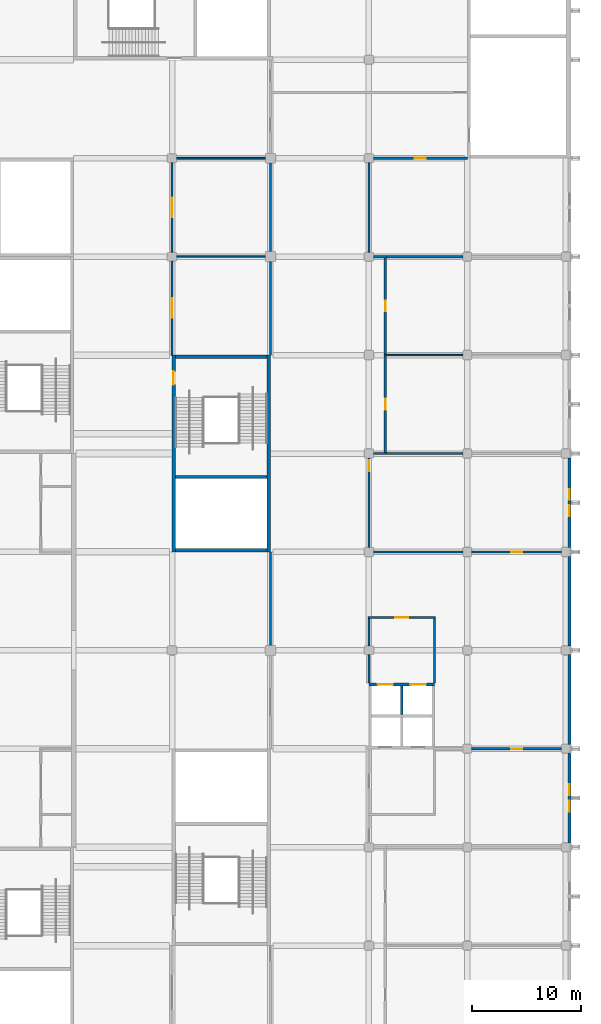
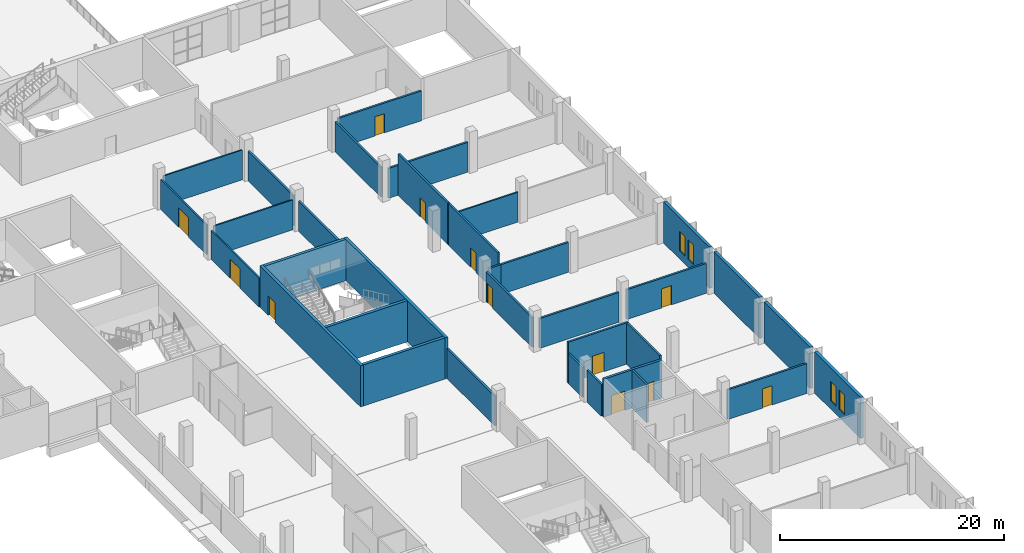
# One storey, part 104 of 168: 35 walls, 12 doors, 4 windows, 16 openings.
"""IFC4 building model written with IfcOpenShell, lengths in metres."""

from ifc_helpers import new_model, si_unit, direction, frame, frame_2d, origin, place, context, subcontext, project, spatial, rectangle, extrude, material, layer, layer_set, type_object, element, fill, save


model = new_model("IFC4")

# Units and contexts
model_context = context("Model", 3, precision=1e-05, world=origin(), true_north=direction((0.0, 1.0)))
body_context = subcontext(model_context, "Body", "Model", "MODEL_VIEW")
ifc_project = project(units=[si_unit("LENGTHUNIT", "METRE"), si_unit("AREAUNIT", "SQUARE_METRE"), si_unit("VOLUMEUNIT", "CUBIC_METRE"), si_unit("PLANEANGLEUNIT", "RADIAN"), si_unit("MASSUNIT", "GRAM", prefix="KILO")], contexts=[model_context])

# Site, building, storey
site_placement = place(None, origin())
site = spatial("IfcSite", under=ifc_project, at=site_placement, CompositionType="ELEMENT")
building_placement = place(site_placement, origin())
building = spatial("IfcBuilding", under=site, at=building_placement, Name="Silverbay Arena", CompositionType="ELEMENT")
storey_placement = place(building_placement, frame((0.0, 0.0, 7.0)))
storey = spatial("IfcBuildingStorey", under=building, at=storey_placement, Name="L01", CompositionType="ELEMENT", Elevation=7.0)

# Wall, openings, windows
ifc_material_1 = material(Name="Concrete Grade C45 precast, board-marked finish", Category="concrete")
ifc_layer_1 = layer(ifc_material_1, 0.300048828125)
ifc_layer_set_1 = layer_set([ifc_layer_1], Name="Concrete Grade C45 precast, board-marked finish")
wall_type_1 = type_object("IfcWallType", Name="Board-marked precast wall 300", PredefinedType="SOLIDWALL", material=ifc_layer_set_1)
wall_1_placement = place(storey_placement, frame((234.35009765625, 63.39990234375, 0.0), z_axis=(0.0, 0.0, 1.0), x_axis=(0.0, 1.0, 0.0)))
wall_1 = element("IfcWall", 1, at=wall_1_placement, inside=storey, type_object=wall_type_1, Name="East external wall L01 bay 6", PredefinedType="SOLIDWALL", context=body_context, shape_type="SweptSolid", body=[
    extrude(rectangle(XDim=8.2001953125, YDim=0.300048828125, at=frame_2d((4.10009765625, 0.0))), origin(), (0.0, 0.0, 1.0), 4.5),
])
opening_1_placement = place(wall_1_placement, frame((2.85009765625, 0.0, 0.89990234375)))
opening_1 = element("IfcOpeningElement", 2, at=opening_1_placement, cuts=wall_1, Name="Opening WN1", PredefinedType="OPENING", context=body_context, shape_type="SweptSolid", body=[
    extrude(rectangle(XDim=1.0, YDim=2.10009765625, at=frame_2d((0.5, 1.050048828125))), frame((0.0, 0.16015625, 0.0), z_axis=(0.0, -1.0, 0.0), x_axis=(1.0, 0.0, 0.0)), (0.0, 0.0, 1.0), 0.320068359375),
])
opening_2_placement = place(wall_1_placement, frame((4.35009765625, 0.0, 0.89990234375)))
opening_2 = element("IfcOpeningElement", 3, at=opening_2_placement, cuts=wall_1, Name="Opening WN1", PredefinedType="OPENING", context=body_context, shape_type="SweptSolid", body=[
    extrude(rectangle(XDim=1.0, YDim=2.10009765625, at=frame_2d((0.5, 1.050048828125))), frame((0.0, 0.16015625, 0.0), z_axis=(0.0, -1.0, 0.0), x_axis=(1.0, 0.0, 0.0)), (0.0, 0.0, 1.0), 0.320068359375),
])
ifc_material_2 = material(Name="Aluminium frame with double glazing", Category="aluminium")
window_type = type_object("IfcWindowType", Name="Window 1000 x 2100", PartitioningType="SINGLE_PANEL", PredefinedType="WINDOW", material=ifc_material_2)
window_1_placement = place(opening_1_placement, origin())
window_1 = element("IfcWindow", 4, at=window_1_placement, inside=storey, type_object=window_type, Name="East facade window L01 bay 6.1", OverallHeight=2.10009765625, OverallWidth=1.0, PartitioningType="SINGLE_PANEL", PredefinedType="WINDOW", context=body_context, shape_type="SweptSolid", body=[
    extrude(rectangle(XDim=1.0, YDim=2.10009765625, at=frame_2d((0.5, 1.050048828125))), frame((0.0, 0.030029296875, 0.0), z_axis=(0.0, -1.0, 0.0), x_axis=(1.0, 0.0, 0.0)), (0.0, 0.0, 1.0), 0.06005859375),
])
fill(opening_1, window_1)
window_2_placement = place(opening_2_placement, origin())
window_2 = element("IfcWindow", 5, at=window_2_placement, inside=storey, type_object=window_type, Name="East facade window L01 bay 6.2", OverallHeight=2.10009765625, OverallWidth=1.0, PartitioningType="SINGLE_PANEL", PredefinedType="WINDOW", context=body_context, shape_type="SweptSolid", body=[
    extrude(rectangle(XDim=1.0, YDim=2.10009765625, at=frame_2d((0.5, 1.050048828125))), frame((0.0, 0.030029296875, 0.0), z_axis=(0.0, -1.0, 0.0), x_axis=(1.0, 0.0, 0.0)), (0.0, 0.0, 1.0), 0.06005859375),
])
fill(opening_2, window_2)

# Walls
for number, where, z_axis, x_axis, name in (
    (6, (234.35009765625, 72.39990234375, 0.0), (0.0, 0.0, 1.0), (0.0, 1.0, 0.0), "East external wall L01 bay 7"),
    (7, (234.35009765625, 81.39990234375, 0.0), (0.0, 0.0, 1.0), (0.0, 1.0, 0.0), "East external wall L01 bay 8"),
):
    element("IfcWall", number, at=place(storey_placement, frame(where, z_axis=z_axis, x_axis=x_axis)), inside=storey, type_object=wall_type_1, Name=name, PredefinedType="SOLIDWALL", context=body_context, shape_type="SweptSolid", body=[
        extrude(rectangle(XDim=8.2001953125, YDim=0.300048828125, at=frame_2d((4.10009765625, 0.0))), origin(), (0.0, 0.0, 1.0), 4.5),
    ])

# Wall, openings, windows
wall_2_placement = place(storey_placement, frame((234.35009765625, 90.39990234375, 0.0), z_axis=(0.0, 0.0, 1.0), x_axis=(0.0, 1.0, 0.0)))
wall_2 = element("IfcWall", 8, at=wall_2_placement, inside=storey, type_object=wall_type_1, Name="East external wall L01 bay 9", PredefinedType="SOLIDWALL", context=body_context, shape_type="SweptSolid", body=[
    extrude(rectangle(XDim=8.2001953125, YDim=0.300048828125, at=frame_2d((4.10009765625, 0.0))), origin(), (0.0, 0.0, 1.0), 4.5),
])
opening_3_placement = place(wall_2_placement, frame((2.85009765625, 0.0, 0.89990234375)))
opening_3 = element("IfcOpeningElement", 9, at=opening_3_placement, cuts=wall_2, Name="Opening WN1", PredefinedType="OPENING", context=body_context, shape_type="SweptSolid", body=[
    extrude(rectangle(XDim=1.0, YDim=2.10009765625, at=frame_2d((0.5, 1.050048828125))), frame((0.0, 0.16015625, 0.0), z_axis=(0.0, -1.0, 0.0), x_axis=(1.0, 0.0, 0.0)), (0.0, 0.0, 1.0), 0.320068359375),
])
opening_4_placement = place(wall_2_placement, frame((4.35009765625, 0.0, 0.89990234375)))
opening_4 = element("IfcOpeningElement", 10, at=opening_4_placement, cuts=wall_2, Name="Opening WN1", PredefinedType="OPENING", context=body_context, shape_type="SweptSolid", body=[
    extrude(rectangle(XDim=1.0, YDim=2.10009765625, at=frame_2d((0.5, 1.050048828125))), frame((0.0, 0.16015625, 0.0), z_axis=(0.0, -1.0, 0.0), x_axis=(1.0, 0.0, 0.0)), (0.0, 0.0, 1.0), 0.320068359375),
])
window_3_placement = place(opening_3_placement, origin())
window_3 = element("IfcWindow", 11, at=window_3_placement, inside=storey, type_object=window_type, Name="East facade window L01 bay 9.1", OverallHeight=2.10009765625, OverallWidth=1.0, PartitioningType="SINGLE_PANEL", PredefinedType="WINDOW", context=body_context, shape_type="SweptSolid", body=[
    extrude(rectangle(XDim=1.0, YDim=2.10009765625, at=frame_2d((0.5, 1.050048828125))), frame((0.0, 0.030029296875, 0.0), z_axis=(0.0, -1.0, 0.0), x_axis=(1.0, 0.0, 0.0)), (0.0, 0.0, 1.0), 0.06005859375),
])
fill(opening_3, window_3)
window_4_placement = place(opening_4_placement, origin())
window_4 = element("IfcWindow", 12, at=window_4_placement, inside=storey, type_object=window_type, Name="East facade window L01 bay 9.2", OverallHeight=2.10009765625, OverallWidth=1.0, PartitioningType="SINGLE_PANEL", PredefinedType="WINDOW", context=body_context, shape_type="SweptSolid", body=[
    extrude(rectangle(XDim=1.0, YDim=2.10009765625, at=frame_2d((0.5, 1.050048828125))), frame((0.0, 0.030029296875, 0.0), z_axis=(0.0, -1.0, 0.0), x_axis=(1.0, 0.0, 0.0)), (0.0, 0.0, 1.0), 0.06005859375),
])
fill(opening_4, window_4)

# Wall, opening, door
ifc_material_3 = material(Name="Concrete Grade C45", Category="concrete")
ifc_layer_2 = layer(ifc_material_3, 0.300048828125)
ifc_layer_set_2 = layer_set([ifc_layer_2], Name="Concrete Grade C45")
wall_type_2 = type_object("IfcWallType", Name="Core wall RC 300 EI 120", PredefinedType="SHEAR", material=ifc_layer_set_2)
wall_3_placement = place(storey_placement, frame((198.14990234375, 108.0, 0.0), z_axis=(0.0, 0.0, 1.0), x_axis=(0.0, -1.0, 0.0)))
wall_3 = element("IfcWall", 13, at=wall_3_placement, inside=storey, type_object=wall_type_2, Name="Core wall ST-E2 L01 door side", PredefinedType="SHEAR", context=body_context, shape_type="SweptSolid", body=[
    extrude(rectangle(XDim=18.0, YDim=0.300048828125, at=frame_2d((9.0, 0.0))), origin(), (0.0, 0.0, 1.0), 4.5),
])
opening_5_placement = place(wall_3_placement, frame((1.5, 0.0, 0.0)))
opening_5 = element("IfcOpeningElement", 14, at=opening_5_placement, cuts=wall_3, Name="Opening L01-116", PredefinedType="OPENING", context=body_context, shape_type="SweptSolid", body=[
    extrude(rectangle(XDim=1.199951171875, YDim=2.10009765625, at=frame_2d((0.60009765625, 1.050048828125))), frame((0.0, 0.16015625, 0.0), z_axis=(0.0, -1.0, 0.0), x_axis=(1.0, 0.0, 0.0)), (0.0, 0.0, 1.0), 0.320068359375),
])
ifc_material_4 = material(Name="Steel fire door", Category="steel")
door_type_1 = type_object("IfcDoorType", Name="Stair door 1200 x 2100 fire door", OperationType="SINGLE_SWING_LEFT", PredefinedType="DOOR", material=ifc_material_4)
door_1_placement = place(opening_5_placement, origin())
door_1 = element("IfcDoor", 15, at=door_1_placement, inside=storey, type_object=door_type_1, Name="Stair door ST-E2 L01", OperationType="SINGLE_SWING_LEFT", OverallHeight=2.10009765625, OverallWidth=1.199951171875, PredefinedType="DOOR", context=body_context, shape_type="SweptSolid", body=[
    extrude(rectangle(XDim=1.199951171875, YDim=2.10009765625, at=frame_2d((0.60009765625, 1.050048828125))), frame((0.0, 0.02490234375, 0.0), z_axis=(0.0, -1.0, 0.0), x_axis=(1.0, 0.0, 0.0)), (0.0, 0.0, 1.0), 0.050048828125),
])
fill(opening_5, door_1)

# Walls
wall_4_placement = place(storey_placement, frame((206.85009765625, 108.0, 0.0), z_axis=(0.0, 0.0, 1.0), x_axis=(0.0, -1.0, 0.0)))
element("IfcWall", 16, at=wall_4_placement, inside=storey, type_object=wall_type_2, Name="Core wall ST-E2 L01 far side", PredefinedType="SHEAR", context=body_context, shape_type="SweptSolid", body=[
    extrude(rectangle(XDim=18.0, YDim=0.300048828125, at=frame_2d((9.0, 0.0))), origin(), (0.0, 0.0, 1.0), 4.5),
])
for number, where, z_axis, x_axis, name in (
    (17, (198.300048828125, 107.85009765625, 0.0), (0.0, 0.0, 1.0), (1.0, 0.0, 0.0), "Core wall ST-E2 L01 end 1"),
    (18, (198.300048828125, 90.14990234375, 0.0), (0.0, 0.0, 1.0), (1.0, 0.0, 0.0), "Core wall ST-E2 L01 end 2"),
    (19, (198.300048828125, 96.85009765625, 0.0), (0.0, 0.0, 1.0), (1.0, 0.0, 0.0), "Core wall ST-E2 L01 stair enclosure"),
):
    element("IfcWall", number, at=place(storey_placement, frame(where, z_axis=z_axis, x_axis=x_axis)), inside=storey, type_object=wall_type_2, Name=name, PredefinedType="SHEAR", context=body_context, shape_type="SweptSolid", body=[
        extrude(rectangle(XDim=8.39990234375, YDim=0.300048828125, at=frame_2d((4.199951171875, 0.0))), origin(), (0.0, 0.0, 1.0), 4.5),
    ])
ifc_material_5 = material(Name="Concrete Grade C45", Category="concrete")
ifc_layer_3 = layer(ifc_material_5, 0.199951171875)
ifc_layer_set_3 = layer_set([ifc_layer_3], Name="Concrete Grade C45")
wall_type_3 = type_object("IfcWallType", Name="Lift shaft divider RC 200 EI 120", PredefinedType="SHEAR", material=ifc_layer_set_3)
wall_5_placement = place(storey_placement, frame((219.0, 75.125, 0.0), z_axis=(0.0, 0.0, 1.0), x_axis=(0.0, 1.0, 0.0)))
element("IfcWall", 20, at=wall_5_placement, inside=storey, type_object=wall_type_3, Name="Lift shaft divider LB-EG L01 n", PredefinedType="SHEAR", context=body_context, shape_type="SweptSolid", body=[
    extrude(rectangle(XDim=2.625, YDim=0.199951171875, at=frame_2d((1.3125, 0.0))), origin(), (0.0, 0.0, 1.0), 4.14990234375),
])

# Wall, openings, doors
ifc_material_6 = material(Name="Concrete Grade C45", Category="concrete")
ifc_layer_4 = layer(ifc_material_6, 0.25)
ifc_layer_set_4 = layer_set([ifc_layer_4], Name="Concrete Grade C45")
wall_type_4 = type_object("IfcWallType", Name="Lift shaft wall RC 250 EI 120", PredefinedType="SHEAR", material=ifc_layer_set_4)
wall_6_placement = place(storey_placement, frame((216.0, 77.875, 0.0), z_axis=(0.0, 0.0, 1.0), x_axis=(1.0, 0.0, 0.0)))
wall_6 = element("IfcWall", 21, at=wall_6_placement, inside=storey, type_object=wall_type_4, Name="Lift shaft wall LB-EG L01 north", PredefinedType="SHEAR", context=body_context, shape_type="SweptSolid", body=[
    extrude(rectangle(XDim=6.0, YDim=0.25, at=frame_2d((3.0, 0.0))), origin(), (0.0, 0.0, 1.0), 4.14990234375),
])
opening_6_placement = place(wall_6_placement, frame((0.800048828125, 0.0, 0.0)))
opening_6 = element("IfcOpeningElement", 22, at=opening_6_placement, cuts=wall_6, Name="Opening L01-147", PredefinedType="OPENING", context=body_context, shape_type="SweptSolid", body=[
    extrude(rectangle(XDim=1.39990234375, YDim=2.10009765625, at=frame_2d((0.699951171875, 1.050048828125))), frame((0.0, 0.135009765625, 0.0), z_axis=(0.0, -1.0, 0.0), x_axis=(1.0, 0.0, 0.0)), (0.0, 0.0, 1.0), 0.27001953125),
])
opening_7_placement = place(wall_6_placement, frame((3.800048828125, 0.0, 0.0)))
opening_7 = element("IfcOpeningElement", 23, at=opening_7_placement, cuts=wall_6, Name="Opening L01-148", PredefinedType="OPENING", context=body_context, shape_type="SweptSolid", body=[
    extrude(rectangle(XDim=1.39990234375, YDim=2.10009765625, at=frame_2d((0.699951171875, 1.050048828125))), frame((0.0, 0.135009765625, 0.0), z_axis=(0.0, -1.0, 0.0), x_axis=(1.0, 0.0, 0.0)), (0.0, 0.0, 1.0), 0.27001953125),
])
ifc_material_7 = material(Name="Stainless steel", Category="steel")
door_type_2 = type_object("IfcDoorType", Name="LD2 lift landing door 1400 x 2100", OperationType="DOUBLE_DOOR_SLIDING", PredefinedType="DOOR", material=ifc_material_7)
door_2_placement = place(opening_6_placement, origin())
door_2 = element("IfcDoor", 24, at=door_2_placement, inside=storey, type_object=door_type_2, Name="Lift landing door LF22 L01", OperationType="DOUBLE_DOOR_SLIDING", OverallHeight=2.10009765625, OverallWidth=1.39990234375, PredefinedType="DOOR", context=body_context, shape_type="SweptSolid", body=[
    extrude(rectangle(XDim=1.39990234375, YDim=2.10009765625, at=frame_2d((0.699951171875, 1.050048828125))), frame((0.0, 0.02490234375, 0.0), z_axis=(0.0, -1.0, 0.0), x_axis=(1.0, 0.0, 0.0)), (0.0, 0.0, 1.0), 0.050048828125),
])
fill(opening_6, door_2)
door_3_placement = place(opening_7_placement, origin())
door_3 = element("IfcDoor", 25, at=door_3_placement, inside=storey, type_object=door_type_2, Name="Lift landing door LF23 L01", OperationType="DOUBLE_DOOR_SLIDING", OverallHeight=2.10009765625, OverallWidth=1.39990234375, PredefinedType="DOOR", context=body_context, shape_type="SweptSolid", body=[
    extrude(rectangle(XDim=1.39990234375, YDim=2.10009765625, at=frame_2d((0.699951171875, 1.050048828125))), frame((0.0, 0.02490234375, 0.0), z_axis=(0.0, -1.0, 0.0), x_axis=(1.0, 0.0, 0.0)), (0.0, 0.0, 1.0), 0.050048828125),
])
fill(opening_7, door_3)

# Walls
ifc_material_8 = material(Name="Gypsum board partition on steel studs", Category="steel")
ifc_layer_5 = layer(ifc_material_8, 0.14990234375)
ifc_layer_set_5 = layer_set([ifc_layer_5], Name="Gypsum board partition on steel studs")
wall_type_5 = type_object("IfcWallType", Name="Partition 150 EI 60", PredefinedType="PARTITIONING", material=ifc_layer_set_5)
wall_7_placement = place(storey_placement, frame((217.39990234375, 108.0, 0.0), z_axis=(0.0, 0.0, 1.0), x_axis=(1.0, 0.0, 0.0)))
element("IfcWall", 26, at=wall_7_placement, inside=storey, type_object=wall_type_5, Name="Partition wall", PredefinedType="PARTITIONING", context=body_context, shape_type="SweptSolid", body=[
    extrude(rectangle(XDim=7.2001953125, YDim=0.14990234375, at=frame_2d((3.60009765625, 0.0))), origin(), (0.0, 0.0, 1.0), 3.25),
])
for number, where, z_axis, x_axis, name in (
    (27, (198.39990234375, 117.0, 0.0), (0.0, 0.0, 1.0), (1.0, 0.0, 0.0), "Partition wall"),
    (28, (198.39990234375, 126.0, 0.0), (0.0, 0.0, 1.0), (1.0, 0.0, 0.0), "Partition wall"),
):
    element("IfcWall", number, at=place(storey_placement, frame(where, z_axis=z_axis, x_axis=x_axis)), inside=storey, type_object=wall_type_5, Name=name, PredefinedType="PARTITIONING", context=body_context, shape_type="SweptSolid", body=[
        extrude(rectangle(XDim=8.150146484375, YDim=0.14990234375, at=frame_2d((4.0751953125, 0.0))), origin(), (0.0, 0.0, 1.0), 3.25),
    ])

# Wall, opening, door
wall_8_placement = place(storey_placement, frame((198.0, 108.0, 0.0), z_axis=(0.0, 0.0, 1.0), x_axis=(0.0, 1.0, 0.0)))
wall_8 = element("IfcWall", 29, at=wall_8_placement, inside=storey, type_object=wall_type_5, Name="Partition wall", PredefinedType="PARTITIONING", context=body_context, shape_type="SweptSolid", body=[
    extrude(rectangle(XDim=8.60009765625, YDim=0.14990234375, at=frame_2d((4.300048828125, 0.0))), origin(), (0.0, 0.0, 1.0), 3.14990234375),
])
opening_8_placement = place(wall_8_placement, frame((3.39990234375, 0.0, 0.0)))
opening_8 = element("IfcOpeningElement", 30, at=opening_8_placement, cuts=wall_8, Name="Opening L01-011", PredefinedType="OPENING", context=body_context, shape_type="SweptSolid", body=[
    extrude(rectangle(XDim=1.800048828125, YDim=2.10009765625, at=frame_2d((0.89990234375, 1.050048828125))), frame((0.0, 0.0849609375, 0.0), z_axis=(0.0, -1.0, 0.0), x_axis=(1.0, 0.0, 0.0)), (0.0, 0.0, 1.0), 0.169921875),
])
ifc_material_9 = material(Name="Steel faced timber", Category="steel")
door_type_3 = type_object("IfcDoorType", Name="Double leaf door 1800 x 2100 FD30S", OperationType="DOUBLE_DOOR_DOUBLE_SWING", PredefinedType="DOOR", material=ifc_material_9)
door_4_placement = place(opening_8_placement, frame((1.800048828125, 0.0, 0.0), z_axis=(0.0, 0.0, 1.0), x_axis=(-1.0, 0.0, 0.0)))
door_4 = element("IfcDoor", 31, at=door_4_placement, inside=storey, type_object=door_type_3, Name="Door L01-011", OperationType="DOUBLE_DOOR_DOUBLE_SWING", OverallHeight=2.10009765625, OverallWidth=1.800048828125, PredefinedType="DOOR", context=body_context, shape_type="SweptSolid", body=[
    extrude(rectangle(XDim=1.800048828125, YDim=2.10009765625, at=frame_2d((0.89990234375, 1.050048828125))), frame((0.0, 0.02490234375, 0.0), z_axis=(0.0, -1.0, 0.0), x_axis=(1.0, 0.0, 0.0)), (0.0, 0.0, 1.0), 0.050048828125),
])
fill(opening_8, door_4)

wall_9_placement = place(storey_placement, frame((198.0, 117.39990234375, 0.0), z_axis=(0.0, 0.0, 1.0), x_axis=(0.0, 1.0, 0.0)))
wall_9 = element("IfcWall", 32, at=wall_9_placement, inside=storey, type_object=wall_type_5, Name="Partition wall", PredefinedType="PARTITIONING", context=body_context, shape_type="SweptSolid", body=[
    extrude(rectangle(XDim=8.2001953125, YDim=0.14990234375, at=frame_2d((4.10009765625, 0.0))), origin(), (0.0, 0.0, 1.0), 3.25),
])
opening_9_placement = place(wall_9_placement, frame((3.199951171875, 0.0, 0.0)))
opening_9 = element("IfcOpeningElement", 33, at=opening_9_placement, cuts=wall_9, Name="Opening L01-012", PredefinedType="OPENING", context=body_context, shape_type="SweptSolid", body=[
    extrude(rectangle(XDim=1.800048828125, YDim=2.10009765625, at=frame_2d((0.89990234375, 1.050048828125))), frame((0.0, 0.0849609375, 0.0), z_axis=(0.0, -1.0, 0.0), x_axis=(1.0, 0.0, 0.0)), (0.0, 0.0, 1.0), 0.169921875),
])
door_5_placement = place(opening_9_placement, frame((1.800048828125, 0.0, 0.0), z_axis=(0.0, 0.0, 1.0), x_axis=(-1.0, 0.0, 0.0)))
door_5 = element("IfcDoor", 34, at=door_5_placement, inside=storey, type_object=door_type_3, Name="Door L01-012", OperationType="DOUBLE_DOOR_DOUBLE_SWING", OverallHeight=2.10009765625, OverallWidth=1.800048828125, PredefinedType="DOOR", context=body_context, shape_type="SweptSolid", body=[
    extrude(rectangle(XDim=1.800048828125, YDim=2.10009765625, at=frame_2d((0.89990234375, 1.050048828125))), frame((0.0, 0.02490234375, 0.0), z_axis=(0.0, -1.0, 0.0), x_axis=(1.0, 0.0, 0.0)), (0.0, 0.0, 1.0), 0.050048828125),
])
fill(opening_9, door_5)

ifc_material_10 = material(Name="Masonry blockwork partition", Category="masonry")
ifc_layer_6 = layer(ifc_material_10, 0.199951171875)
ifc_layer_set_6 = layer_set([ifc_layer_6], Name="Masonry blockwork partition")
wall_type_6 = type_object("IfcWallType", Name="Partition 200 EI 120", PredefinedType="PARTITIONING", material=ifc_layer_set_6)
wall_10_placement = place(storey_placement, frame((225.39990234375, 72.0, 0.0), z_axis=(0.0, 0.0, 1.0), x_axis=(1.0, 0.0, 0.0)))
wall_10 = element("IfcWall", 35, at=wall_10_placement, inside=storey, type_object=wall_type_6, Name="Partition wall", PredefinedType="PARTITIONING", context=body_context, shape_type="SweptSolid", body=[
    extrude(rectangle(XDim=8.2001953125, YDim=0.199951171875, at=frame_2d((4.10009765625, 0.0))), origin(), (0.0, 0.0, 1.0), 3.25),
])
opening_10_placement = place(wall_10_placement, frame((3.60009765625, 0.0, 0.0)))
opening_10 = element("IfcOpeningElement", 36, at=opening_10_placement, cuts=wall_10, Name="Opening L01-048", PredefinedType="OPENING", context=body_context, shape_type="SweptSolid", body=[
    extrude(rectangle(XDim=1.0, YDim=2.10009765625, at=frame_2d((0.5, 1.050048828125))), frame((0.0, 0.10986328125, 0.0), z_axis=(0.0, -1.0, 0.0), x_axis=(1.0, 0.0, 0.0)), (0.0, 0.0, 1.0), 0.219970703125),
])
ifc_material_11 = material(Name="Steel faced timber", Category="steel")
door_type_4 = type_object("IfcDoorType", Name="Single leaf door 1000 x 2100 FD120", OperationType="SINGLE_SWING_LEFT", PredefinedType="DOOR", material=ifc_material_11)
door_6_placement = place(opening_10_placement, frame((1.0, 0.0, 0.0), z_axis=(0.0, 0.0, 1.0), x_axis=(-1.0, 0.0, 0.0)))
door_6 = element("IfcDoor", 37, at=door_6_placement, inside=storey, type_object=door_type_4, Name="Door L01-048", OperationType="SINGLE_SWING_LEFT", OverallHeight=2.10009765625, OverallWidth=1.0, PredefinedType="DOOR", context=body_context, shape_type="SweptSolid", body=[
    extrude(rectangle(XDim=1.0, YDim=2.10009765625, at=frame_2d((0.5, 1.050048828125))), frame((0.0, 0.02490234375, 0.0), z_axis=(0.0, -1.0, 0.0), x_axis=(1.0, 0.0, 0.0)), (0.0, 0.0, 1.0), 0.050048828125),
])
fill(opening_10, door_6)

wall_11_placement = place(storey_placement, frame((215.89990234375, 84.0, 0.0), z_axis=(0.0, 0.0, 1.0), x_axis=(1.0, 0.0, 0.0)))
wall_11 = element("IfcWall", 38, at=wall_11_placement, inside=storey, type_object=wall_type_6, Name="Partition wall", PredefinedType="PARTITIONING", context=body_context, shape_type="SweptSolid", body=[
    extrude(rectangle(XDim=6.2001953125, YDim=0.199951171875, at=frame_2d((3.10009765625, 0.0))), origin(), (0.0, 0.0, 1.0), 4.5),
])
opening_11_placement = place(wall_11_placement, frame((2.5, 0.0, 0.0)))
opening_11 = element("IfcOpeningElement", 39, at=opening_11_placement, cuts=wall_11, Name="Opening L01-058", PredefinedType="OPENING", context=body_context, shape_type="SweptSolid", body=[
    extrude(rectangle(XDim=1.199951171875, YDim=2.10009765625, at=frame_2d((0.60009765625, 1.050048828125))), frame((0.0, 0.10986328125, 0.0), z_axis=(0.0, -1.0, 0.0), x_axis=(1.0, 0.0, 0.0)), (0.0, 0.0, 1.0), 0.219970703125),
])
ifc_material_12 = material(Name="Steel faced timber", Category="steel")
door_type_5 = type_object("IfcDoorType", Name="Single leaf door 1200 x 2100 FD60", OperationType="SINGLE_SWING_LEFT", PredefinedType="DOOR", material=ifc_material_12)
door_7_placement = place(opening_11_placement, origin())
door_7 = element("IfcDoor", 40, at=door_7_placement, inside=storey, type_object=door_type_5, Name="Door L01-058", OperationType="SINGLE_SWING_RIGHT", OverallHeight=2.10009765625, OverallWidth=1.199951171875, PredefinedType="DOOR", context=body_context, shape_type="SweptSolid", body=[
    extrude(rectangle(XDim=1.199951171875, YDim=2.10009765625, at=frame_2d((0.60009765625, 1.050048828125))), frame((0.0, 0.02490234375, 0.0), z_axis=(0.0, -1.0, 0.0), x_axis=(1.0, 0.0, 0.0)), (0.0, 0.0, 1.0), 0.050048828125),
])
fill(opening_11, door_7)

wall_12_placement = place(storey_placement, frame((225.39990234375, 90.0, 0.0), z_axis=(0.0, 0.0, 1.0), x_axis=(1.0, 0.0, 0.0)))
wall_12 = element("IfcWall", 41, at=wall_12_placement, inside=storey, type_object=wall_type_6, Name="Partition wall", PredefinedType="PARTITIONING", context=body_context, shape_type="SweptSolid", body=[
    extrude(rectangle(XDim=8.2001953125, YDim=0.199951171875, at=frame_2d((4.10009765625, 0.0))), origin(), (0.0, 0.0, 1.0), 3.25),
])
opening_12_placement = place(wall_12_placement, frame((3.60009765625, 0.0, 0.0)))
opening_12 = element("IfcOpeningElement", 42, at=opening_12_placement, cuts=wall_12, Name="Opening L01-049", PredefinedType="OPENING", context=body_context, shape_type="SweptSolid", body=[
    extrude(rectangle(XDim=1.0, YDim=2.10009765625, at=frame_2d((0.5, 1.050048828125))), frame((0.0, 0.10986328125, 0.0), z_axis=(0.0, -1.0, 0.0), x_axis=(1.0, 0.0, 0.0)), (0.0, 0.0, 1.0), 0.219970703125),
])
door_8_placement = place(opening_12_placement, origin())
door_8 = element("IfcDoor", 43, at=door_8_placement, inside=storey, type_object=door_type_4, Name="Door L01-049", OperationType="SINGLE_SWING_LEFT", OverallHeight=2.10009765625, OverallWidth=1.0, PredefinedType="DOOR", context=body_context, shape_type="SweptSolid", body=[
    extrude(rectangle(XDim=1.0, YDim=2.10009765625, at=frame_2d((0.5, 1.050048828125))), frame((0.0, 0.02490234375, 0.0), z_axis=(0.0, -1.0, 0.0), x_axis=(1.0, 0.0, 0.0)), (0.0, 0.0, 1.0), 0.050048828125),
])
fill(opening_12, door_8)

# Walls
wall_13_placement = place(storey_placement, frame((216.39990234375, 90.0, 0.0), z_axis=(0.0, 0.0, 1.0), x_axis=(1.0, 0.0, 0.0)))
element("IfcWall", 44, at=wall_13_placement, inside=storey, type_object=wall_type_6, Name="Partition wall", PredefinedType="PARTITIONING", context=body_context, shape_type="SweptSolid", body=[
    extrude(rectangle(XDim=8.2001953125, YDim=0.199951171875, at=frame_2d((4.10009765625, 0.0))), origin(), (0.0, 0.0, 1.0), 3.25),
])
for number, where, z_axis, x_axis, name in (
    (45, (216.39990234375, 99.0, 0.0), (0.0, 0.0, 1.0), (1.0, 0.0, 0.0), "Partition wall"),
    (46, (216.39990234375, 117.0, 0.0), (0.0, 0.0, 1.0), (1.0, 0.0, 0.0), "Partition wall"),
):
    element("IfcWall", number, at=place(storey_placement, frame(where, z_axis=z_axis, x_axis=x_axis)), inside=storey, type_object=wall_type_6, Name=name, PredefinedType="PARTITIONING", context=body_context, shape_type="SweptSolid", body=[
        extrude(rectangle(XDim=1.2001953125, YDim=0.199951171875, at=frame_2d((0.60009765625, 0.0))), origin(), (0.0, 0.0, 1.0), 3.25),
    ])

# Wall, opening, door
wall_14_placement = place(storey_placement, frame((216.39990234375, 126.0, 0.0), z_axis=(0.0, 0.0, 1.0), x_axis=(1.0, 0.0, 0.0)))
wall_14 = element("IfcWall", 47, at=wall_14_placement, inside=storey, type_object=wall_type_6, Name="Partition wall", PredefinedType="PARTITIONING", context=body_context, shape_type="SweptSolid", body=[
    extrude(rectangle(XDim=8.60009765625, YDim=0.199951171875, at=frame_2d((4.300048828125, 0.0))), origin(), (0.0, 0.0, 1.0), 3.25),
])
opening_13_placement = place(wall_14_placement, frame((3.800048828125, 0.0, 0.0)))
opening_13 = element("IfcOpeningElement", 48, at=opening_13_placement, cuts=wall_14, Name="Opening L01-052", PredefinedType="OPENING", context=body_context, shape_type="SweptSolid", body=[
    extrude(rectangle(XDim=1.0, YDim=2.10009765625, at=frame_2d((0.5, 1.050048828125))), frame((0.0, 0.10986328125, 0.0), z_axis=(0.0, -1.0, 0.0), x_axis=(1.0, 0.0, 0.0)), (0.0, 0.0, 1.0), 0.219970703125),
])
door_9_placement = place(opening_13_placement, frame((1.0, 0.0, 0.0), z_axis=(0.0, 0.0, 1.0), x_axis=(-1.0, 0.0, 0.0)))
door_9 = element("IfcDoor", 49, at=door_9_placement, inside=storey, type_object=door_type_4, Name="Door L01-052", OperationType="SINGLE_SWING_LEFT", OverallHeight=2.10009765625, OverallWidth=1.0, PredefinedType="DOOR", context=body_context, shape_type="SweptSolid", body=[
    extrude(rectangle(XDim=1.0, YDim=2.10009765625, at=frame_2d((0.5, 1.050048828125))), frame((0.0, 0.02490234375, 0.0), z_axis=(0.0, -1.0, 0.0), x_axis=(1.0, 0.0, 0.0)), (0.0, 0.0, 1.0), 0.050048828125),
])
fill(opening_13, door_9)

# Walls
for number, where, z_axis, x_axis, name in (
    (50, (207.0, 81.449951171875, 0.0), (0.0, 0.0, 1.0), (0.0, 1.0, 0.0), "Partition wall"),
    (51, (207.0, 108.0, 0.0), (0.0, 0.0, 1.0), (0.0, 1.0, 0.0), "Partition wall"),
):
    element("IfcWall", number, at=place(storey_placement, frame(where, z_axis=z_axis, x_axis=x_axis)), inside=storey, type_object=wall_type_6, Name=name, PredefinedType="PARTITIONING", context=body_context, shape_type="SweptSolid", body=[
        extrude(rectangle(XDim=8.550048828125, YDim=0.199951171875, at=frame_2d((4.27490234375, 0.0))), origin(), (0.0, 0.0, 1.0), 3.25),
    ])
wall_15_placement = place(storey_placement, frame((207.0, 117.449951171875, 0.0), z_axis=(0.0, 0.0, 1.0), x_axis=(0.0, 1.0, 0.0)))
element("IfcWall", 52, at=wall_15_placement, inside=storey, type_object=wall_type_6, Name="Partition wall", PredefinedType="PARTITIONING", context=body_context, shape_type="SweptSolid", body=[
    extrude(rectangle(XDim=8.10009765625, YDim=0.199951171875, at=frame_2d((4.050048828125, 0.0))), origin(), (0.0, 0.0, 1.0), 3.25),
])
wall_16_placement = place(storey_placement, frame((216.0, 78.0, 0.0), z_axis=(0.0, 0.0, 1.0), x_axis=(0.0, 1.0, 0.0)))
element("IfcWall", 53, at=wall_16_placement, inside=storey, type_object=wall_type_6, Name="Partition wall", PredefinedType="PARTITIONING", context=body_context, shape_type="SweptSolid", body=[
    extrude(rectangle(XDim=2.60009765625, YDim=0.199951171875, at=frame_2d((1.300048828125, 0.0))), origin(), (0.0, 0.0, 1.0), 3.449951171875),
])
wall_17_placement = place(storey_placement, frame((216.0, 81.39990234375, 0.0), z_axis=(0.0, 0.0, 1.0), x_axis=(0.0, 1.0, 0.0)))
element("IfcWall", 54, at=wall_17_placement, inside=storey, type_object=wall_type_6, Name="Partition wall", PredefinedType="PARTITIONING", context=body_context, shape_type="SweptSolid", body=[
    extrude(rectangle(XDim=2.5, YDim=0.199951171875, at=frame_2d((1.25, 0.0))), origin(), (0.0, 0.0, 1.0), 3.25),
])

# Wall, opening, door
wall_18_placement = place(storey_placement, frame((216.0, 90.39990234375, 0.0), z_axis=(0.0, 0.0, 1.0), x_axis=(0.0, 1.0, 0.0)))
wall_18 = element("IfcWall", 55, at=wall_18_placement, inside=storey, type_object=wall_type_6, Name="Partition wall", PredefinedType="PARTITIONING", context=body_context, shape_type="SweptSolid", body=[
    extrude(rectangle(XDim=8.2001953125, YDim=0.199951171875, at=frame_2d((4.10009765625, 0.0))), origin(), (0.0, 0.0, 1.0), 3.25),
])
opening_14_placement = place(wall_18_placement, frame((7.0, 0.0, 0.0)))
opening_14 = element("IfcOpeningElement", 56, at=opening_14_placement, cuts=wall_18, Name="Opening L01-084", PredefinedType="OPENING", context=body_context, shape_type="SweptSolid", body=[
    extrude(rectangle(XDim=1.0, YDim=2.10009765625, at=frame_2d((0.5, 1.050048828125))), frame((0.0, 0.10986328125, 0.0), z_axis=(0.0, -1.0, 0.0), x_axis=(1.0, 0.0, 0.0)), (0.0, 0.0, 1.0), 0.219970703125),
])
door_10_placement = place(opening_14_placement, frame((1.0, 0.0, 0.0), z_axis=(0.0, 0.0, 1.0), x_axis=(-1.0, 0.0, 0.0)))
door_10 = element("IfcDoor", 57, at=door_10_placement, inside=storey, type_object=door_type_4, Name="Door L01-084", OperationType="SINGLE_SWING_LEFT", OverallHeight=2.10009765625, OverallWidth=1.0, PredefinedType="DOOR", context=body_context, shape_type="SweptSolid", body=[
    extrude(rectangle(XDim=1.0, YDim=2.10009765625, at=frame_2d((0.5, 1.050048828125))), frame((0.0, 0.02490234375, 0.0), z_axis=(0.0, -1.0, 0.0), x_axis=(1.0, 0.0, 0.0)), (0.0, 0.0, 1.0), 0.050048828125),
])
fill(opening_14, door_10)

# Wall
wall_19_placement = place(storey_placement, frame((216.0, 117.39990234375, 0.0), z_axis=(0.0, 0.0, 1.0), x_axis=(0.0, 1.0, 0.0)))
element("IfcWall", 58, at=wall_19_placement, inside=storey, type_object=wall_type_6, Name="Partition wall", PredefinedType="PARTITIONING", context=body_context, shape_type="SweptSolid", body=[
    extrude(rectangle(XDim=8.2001953125, YDim=0.199951171875, at=frame_2d((4.10009765625, 0.0))), origin(), (0.0, 0.0, 1.0), 3.25),
])

# Wall, opening, door
wall_20_placement = place(storey_placement, frame((217.5, 99.10009765625, 0.0), z_axis=(0.0, 0.0, 1.0), x_axis=(0.0, 1.0, 0.0)))
wall_20 = element("IfcWall", 59, at=wall_20_placement, inside=storey, type_object=wall_type_6, Name="Partition wall", PredefinedType="PARTITIONING", context=body_context, shape_type="SweptSolid", body=[
    extrude(rectangle(XDim=8.824951171875, YDim=0.199951171875, at=frame_2d((4.41259765625, 0.0))), origin(), (0.0, 0.0, 1.0), 4.5),
])
opening_15_placement = place(wall_20_placement, frame((3.9130859375, 0.0, 0.0)))
opening_15 = element("IfcOpeningElement", 60, at=opening_15_placement, cuts=wall_20, Name="Opening L01-050", PredefinedType="OPENING", context=body_context, shape_type="SweptSolid", body=[
    extrude(rectangle(XDim=1.0, YDim=2.10009765625, at=frame_2d((0.5, 1.050048828125))), frame((0.0, 0.10986328125, 0.0), z_axis=(0.0, -1.0, 0.0), x_axis=(1.0, 0.0, 0.0)), (0.0, 0.0, 1.0), 0.219970703125),
])
door_11_placement = place(opening_15_placement, frame((1.0, 0.0, 0.0), z_axis=(0.0, 0.0, 1.0), x_axis=(-1.0, 0.0, 0.0)))
door_11 = element("IfcDoor", 61, at=door_11_placement, inside=storey, type_object=door_type_4, Name="Door L01-050", OperationType="SINGLE_SWING_LEFT", OverallHeight=2.10009765625, OverallWidth=1.0, PredefinedType="DOOR", context=body_context, shape_type="SweptSolid", body=[
    extrude(rectangle(XDim=1.0, YDim=2.10009765625, at=frame_2d((0.5, 1.050048828125))), frame((0.0, 0.02490234375, 0.0), z_axis=(0.0, -1.0, 0.0), x_axis=(1.0, 0.0, 0.0)), (0.0, 0.0, 1.0), 0.050048828125),
])
fill(opening_15, door_11)

wall_21_placement = place(storey_placement, frame((217.5, 108.074951171875, 0.0), z_axis=(0.0, 0.0, 1.0), x_axis=(0.0, 1.0, 0.0)))
wall_21 = element("IfcWall", 62, at=wall_21_placement, inside=storey, type_object=wall_type_6, Name="Partition wall", PredefinedType="PARTITIONING", context=body_context, shape_type="SweptSolid", body=[
    extrude(rectangle(XDim=8.824951171875, YDim=0.199951171875, at=frame_2d((4.41259765625, 0.0))), origin(), (0.0, 0.0, 1.0), 4.5),
])
opening_16_placement = place(wall_21_placement, frame((3.9130859375, 0.0, 0.0)))
opening_16 = element("IfcOpeningElement", 63, at=opening_16_placement, cuts=wall_21, Name="Opening L01-051", PredefinedType="OPENING", context=body_context, shape_type="SweptSolid", body=[
    extrude(rectangle(XDim=1.0, YDim=2.10009765625, at=frame_2d((0.5, 1.050048828125))), frame((0.0, 0.10986328125, 0.0), z_axis=(0.0, -1.0, 0.0), x_axis=(1.0, 0.0, 0.0)), (0.0, 0.0, 1.0), 0.219970703125),
])
door_12_placement = place(opening_16_placement, frame((1.0, 0.0, 0.0), z_axis=(0.0, 0.0, 1.0), x_axis=(-1.0, 0.0, 0.0)))
door_12 = element("IfcDoor", 64, at=door_12_placement, inside=storey, type_object=door_type_4, Name="Door L01-051", OperationType="SINGLE_SWING_RIGHT", OverallHeight=2.10009765625, OverallWidth=1.0, PredefinedType="DOOR", context=body_context, shape_type="SweptSolid", body=[
    extrude(rectangle(XDim=1.0, YDim=2.10009765625, at=frame_2d((0.5, 1.050048828125))), frame((0.0, 0.02490234375, 0.0), z_axis=(0.0, -1.0, 0.0), x_axis=(1.0, 0.0, 0.0)), (0.0, 0.0, 1.0), 0.050048828125),
])
fill(opening_16, door_12)

# Walls
wall_22_placement = place(storey_placement, frame((222.0, 78.0, 0.0), z_axis=(0.0, 0.0, 1.0), x_axis=(0.0, 1.0, 0.0)))
element("IfcWall", 65, at=wall_22_placement, inside=storey, type_object=wall_type_6, Name="Partition wall", PredefinedType="PARTITIONING", context=body_context, shape_type="SweptSolid", body=[
    extrude(rectangle(XDim=5.89990234375, YDim=0.199951171875, at=frame_2d((2.949951171875, 0.0))), origin(), (0.0, 0.0, 1.0), 4.5),
])
ifc_material_13 = material(Name="Gypsum board partition on steel studs", Category="steel")
ifc_layer_7 = layer(ifc_material_13, 0.199951171875)
ifc_layer_set_7 = layer_set([ifc_layer_7], Name="Gypsum board partition on steel studs")
wall_type_7 = type_object("IfcWallType", Name="Partition 200 EI 60", PredefinedType="PARTITIONING", material=ifc_layer_set_7)
for number, where, z_axis, x_axis, name in (
    (66, (217.60009765625, 99.0, 0.0), (0.0, 0.0, 1.0), (1.0, 0.0, 0.0), "Partition wall"),
    (67, (217.60009765625, 117.0, 0.0), (0.0, 0.0, 1.0), (1.0, 0.0, 0.0), "Partition wall"),
):
    element("IfcWall", number, at=place(storey_placement, frame(where, z_axis=z_axis, x_axis=x_axis)), inside=storey, type_object=wall_type_7, Name=name, PredefinedType="PARTITIONING", context=body_context, shape_type="SweptSolid", body=[
        extrude(rectangle(XDim=7.0, YDim=0.199951171875, at=frame_2d((3.5, 0.0))), origin(), (0.0, 0.0, 1.0), 3.25),
    ])

save(model, "model.ifc")
